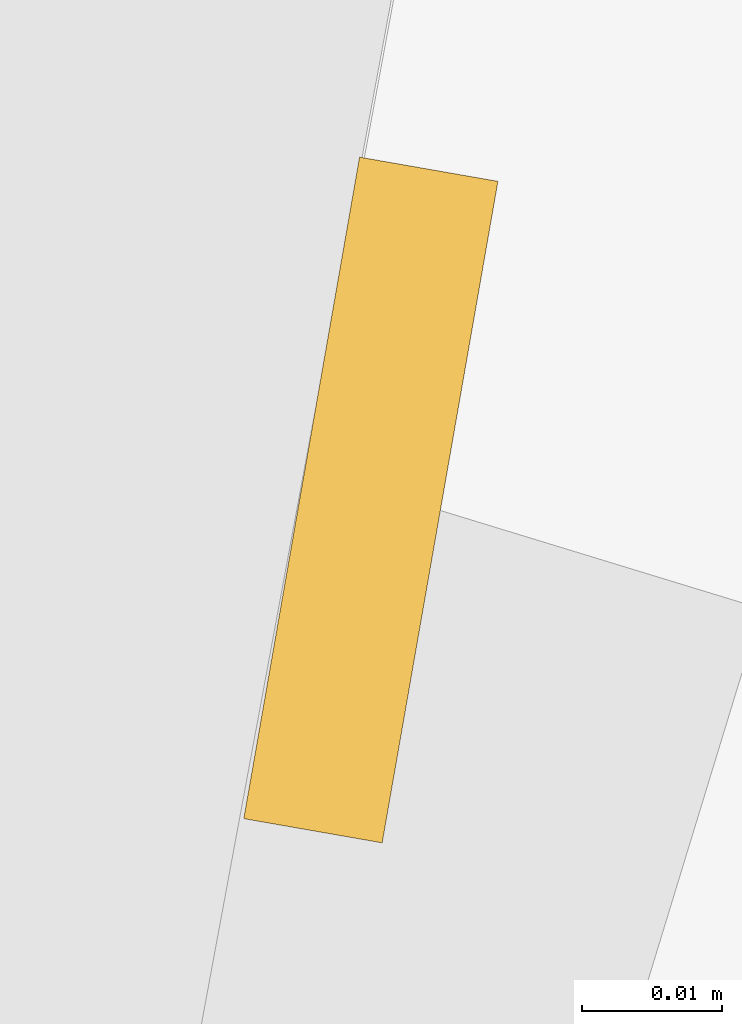
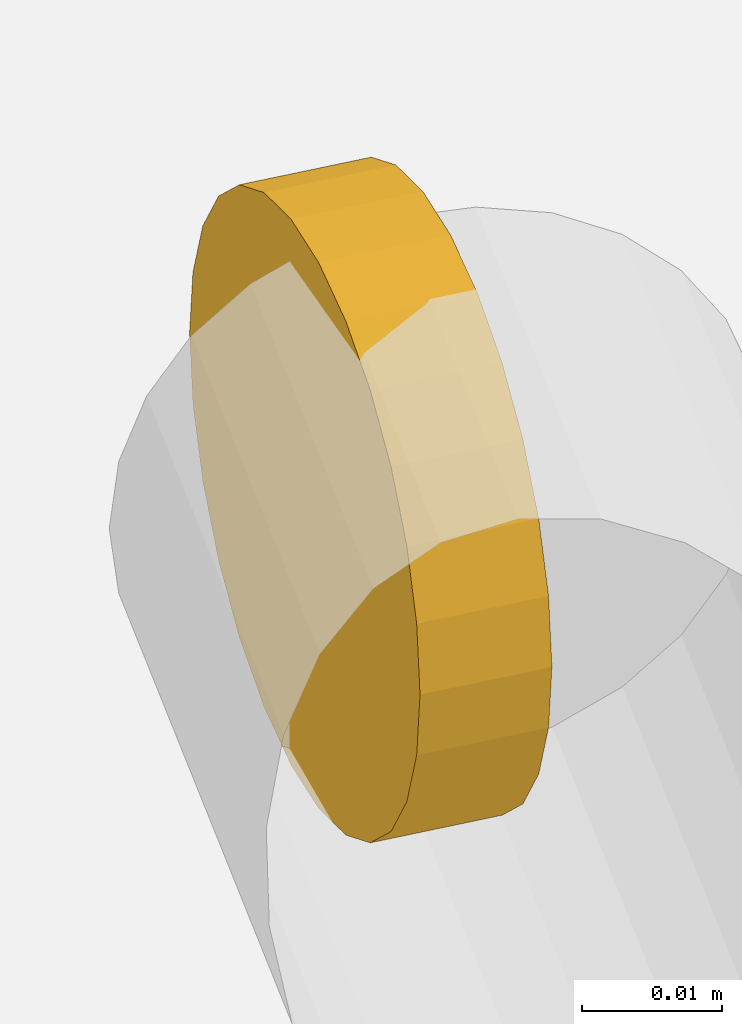
# One storey, part 24 of 25: 1 railing.
"""IFC4 building model written with IfcOpenShell, lengths in metres."""

from ifc_helpers import new_model, si_unit, direction, frame, origin, origin_2d, place, context, subcontext, project, spatial, circle, extrude, material, type_object, element, save


model = new_model("IFC4")

# Units and contexts
model_context = context("Model", 3, precision=1e-05, world=origin(), true_north=direction((0.0, 1.0)))
body_context = subcontext(model_context, "Body", "Model", "MODEL_VIEW")
ifc_project = project(units=[si_unit("LENGTHUNIT", "METRE"), si_unit("AREAUNIT", "SQUARE_METRE"), si_unit("VOLUMEUNIT", "CUBIC_METRE"), si_unit("PLANEANGLEUNIT", "RADIAN"), si_unit("MASSUNIT", "GRAM", prefix="KILO")], contexts=[model_context])

# Site, building, storey
site_placement = place(None, origin())
site = spatial("IfcSite", under=ifc_project, at=site_placement, CompositionType="ELEMENT")
building_placement = place(site_placement, origin())
building = spatial("IfcBuilding", under=site, at=building_placement, Name="Spindle Arch Residences", CompositionType="ELEMENT")
storey_placement = place(building_placement, frame((0.0, 0.0, 151.699951171875)))
storey = spatial("IfcBuildingStorey", under=building, at=storey_placement, Name="L37", CompositionType="ELEMENT", Elevation=151.699951171875)

# Railing
ifc_material = material(Name="Bronze anodised aluminium handrail", Category="aluminium")
railing_type = type_object("IfcRailingType", Name="Terrace handrail 900", PredefinedType="HANDRAIL", material=ifc_material)
railing_placement = place(storey_placement, frame((-15.001220703125, 20.703857421875, 0.030029296875)))
element("IfcRailing", 1, at=railing_placement, inside=storey, type_object=railing_type, Name="Terrace handrail L36 5", PredefinedType="HANDRAIL", context=body_context, shape_type="SweptSolid", body=[
    extrude(circle(Radius=0.02392578125, at=origin_2d()), frame((0.0, 0.0, 0.8759765625), z_axis=(-0.985030467156, 0.172380331752, 0.0), x_axis=(-0.172380331752, -0.985030467156, 0.0)), (0.0, 0.0, 1.0), 0.010009765625),
])

save(model, "model.ifc")
